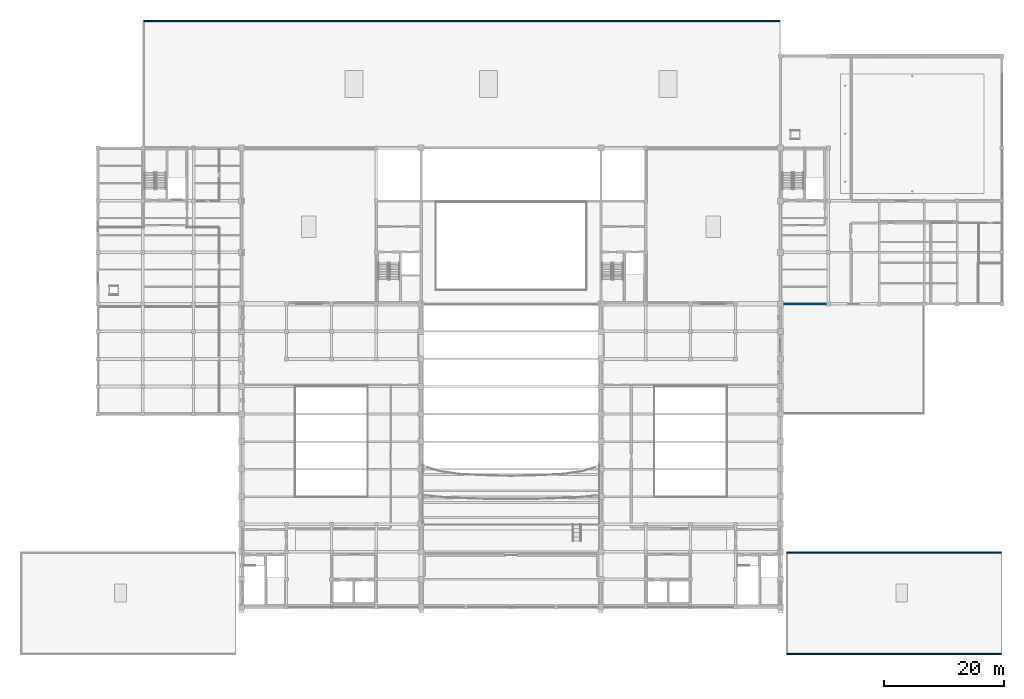
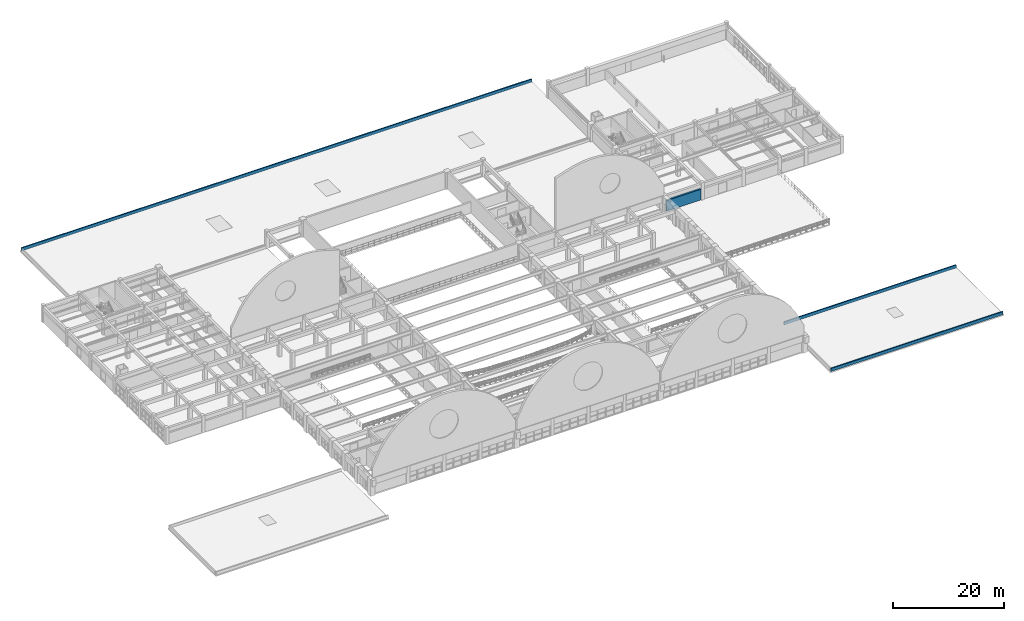
# One storey, part 61 of 74: 4 walls.
"""IFC4 building model written with IfcOpenShell, lengths in metres."""

from ifc_helpers import new_model, si_unit, direction, frame, frame_2d, origin, place, context, subcontext, project, spatial, rectangle, extrude, material, layer, layer_set, type_object, element, save


model = new_model("IFC4")

# Units and contexts
model_context = context("Model", 3, precision=1e-05, world=origin(), true_north=direction((0.0, 1.0)))
body_context = subcontext(model_context, "Body", "Model", "MODEL_VIEW")
ifc_project = project(units=[si_unit("LENGTHUNIT", "METRE"), si_unit("AREAUNIT", "SQUARE_METRE"), si_unit("VOLUMEUNIT", "CUBIC_METRE"), si_unit("PLANEANGLEUNIT", "RADIAN"), si_unit("MASSUNIT", "GRAM", prefix="KILO")], contexts=[model_context])

# Site, building, storey
site_placement = place(None, origin())
site = spatial("IfcSite", under=ifc_project, at=site_placement, CompositionType="ELEMENT")
building_placement = place(site_placement, origin())
building = spatial("IfcBuilding", under=site, at=building_placement, Name="Muzn Square Opera House", CompositionType="ELEMENT")
storey_placement = place(building_placement, frame((0.0, 0.0, 14.199951171875)))
storey = spatial("IfcBuildingStorey", under=building, at=storey_placement, Name="L03", CompositionType="ELEMENT", Elevation=14.199951171875)

# Walls
ifc_material_1 = material(Name="Concrete C40/50", Category="concrete")
ifc_layer_1 = layer(ifc_material_1, 0.340087890625, Name="Concrete C40/50", Category="concrete")
ifc_layer_set_1 = layer_set([ifc_layer_1], Name="Concrete C40/50")
wall_type_1 = type_object("IfcWallType", Name="Exterior Insulated Spandrel Wall 340mm", PredefinedType="SOLIDWALL", material=ifc_layer_set_1)
wall_1_placement = place(storey_placement, frame((133.5, 72.60009765625, 0.0), z_axis=(0.0, 0.0, 1.0), x_axis=(1.0, 0.0, 0.0)))
element("IfcWall", 1, at=wall_1_placement, inside=storey, type_object=wall_type_1, Name="Exterior Facade Wall EW-L03-242", PredefinedType="SOLIDWALL", context=body_context, shape_type="SweptSolid", body=[
    extrude(rectangle(XDim=7.175048828125, YDim=0.340087890625, at=frame_2d((3.58740234375, 0.0))), origin(), (0.0, 0.0, 1.0), 2.35009765625),
])
ifc_material_2 = material(Name="Precast concrete C40/50", Category="concrete")
ifc_layer_2 = layer(ifc_material_2, 0.239990234375, Name="Precast concrete C40/50", Category="concrete")
ifc_layer_set_2 = layer_set([ifc_layer_2], Name="Precast concrete C40/50")
wall_type_2 = type_object("IfcWallType", Name="Roof Parapet Wall 240mm", PredefinedType="PARAPET", material=ifc_layer_set_2)
wall_2_placement = place(storey_placement, frame((26.64990234375, 119.85009765625, 0.0), z_axis=(0.0, 0.0, 1.0), x_axis=(1.0, 0.0, 0.0)))
element("IfcWall", 2, at=wall_2_placement, inside=storey, type_object=wall_type_2, Name="Roof Parapet ROOF-L03-REAR-N", PredefinedType="PARAPET", context=body_context, shape_type="SweptSolid", body=[
    extrude(rectangle(XDim=106.2001953125, YDim=0.239990234375, at=frame_2d((53.10009765625, 0.0))), origin(), (0.0, 0.0, 1.0), 0.650146484375),
])
for number, where, z_axis, x_axis, name in (
    (3, (134.050048828125, 14.14990234375, 0.0), (0.0, 0.0, 1.0), (1.0, 0.0, 0.0), "Roof Parapet ROOF-L03-ESOUTH-S"),
    (4, (134.050048828125, 31.050048828125, 0.0), (0.0, 0.0, 1.0), (1.0, 0.0, 0.0), "Roof Parapet ROOF-L03-ESOUTH-N"),
):
    element("IfcWall", number, at=place(storey_placement, frame(where, z_axis=z_axis, x_axis=x_axis)), inside=storey, type_object=wall_type_2, Name=name, PredefinedType="PARAPET", context=body_context, shape_type="SweptSolid", body=[
        extrude(rectangle(XDim=35.800048828125, YDim=0.239990234375, at=frame_2d((17.89990234375, 0.0))), origin(), (0.0, 0.0, 1.0), 0.650146484375),
    ])

save(model, "model.ifc")
